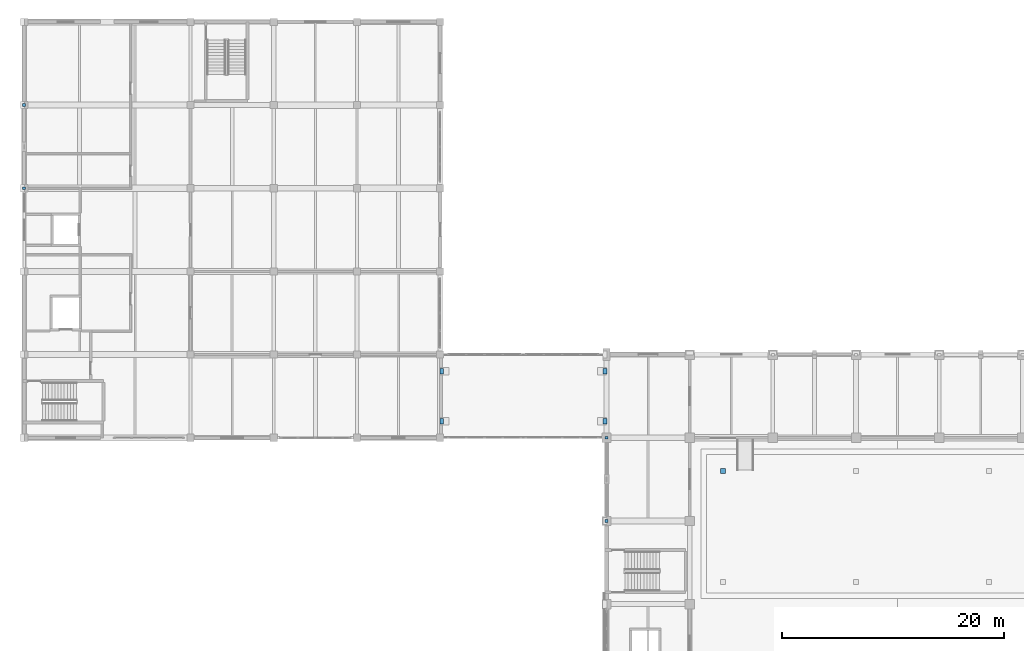
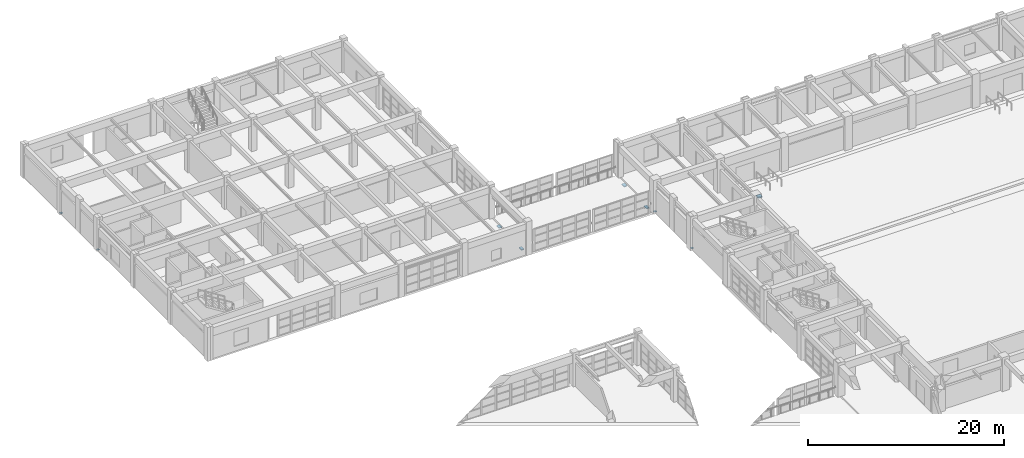
# One storey, part 114 of 132: 9 discrete accessories.
"""IFC4 building model written with IfcOpenShell, lengths in metres."""

from ifc_helpers import new_model, si_unit, direction, frame, origin, origin_2d, place, context, subcontext, project, spatial, rectangle, extrude, material, type_object, element, save


model = new_model("IFC4")

# Units and contexts
model_context = context("Model", 3, precision=1e-05, world=origin(), true_north=direction((0.0, 1.0)))
body_context = subcontext(model_context, "Body", "Model", "MODEL_VIEW")
ifc_project = project(units=[si_unit("LENGTHUNIT", "METRE"), si_unit("AREAUNIT", "SQUARE_METRE"), si_unit("VOLUMEUNIT", "CUBIC_METRE"), si_unit("PLANEANGLEUNIT", "RADIAN"), si_unit("MASSUNIT", "GRAM", prefix="KILO")], contexts=[model_context])

# Site, building, storey
site_placement = place(None, origin())
site = spatial("IfcSite", under=ifc_project, at=site_placement, CompositionType="ELEMENT")
building_placement = place(site_placement, origin())
building = spatial("IfcBuilding", under=site, at=building_placement, Name="Qasida Concert Hall", CompositionType="ELEMENT")
storey_placement = place(building_placement, frame((0.0, 0.0, 4.800048828125)))
storey = spatial("IfcBuildingStorey", under=building, at=storey_placement, Name="L01", CompositionType="ELEMENT", Elevation=4.800048828125)

# Discrete accessories
ifc_material = material(Name="Steel S355J2", Category="steel")
discrete_accessory_type_1 = type_object("IfcDiscreteAccessoryType", Name="ACC-CONN-S355", PredefinedType="BRACKET", material=ifc_material)
for number, where, z_axis, x_axis, name in (
    (1, (52.5, 67.5, -0.011962890625), (0.0, 0.0, 1.0), (1.0, 0.0, 0.0), "Steel brace/strut end connection CN-0182"),
    (2, (52.5, 75.0, -0.011962890625), (0.0, 0.0, 1.0), (1.0, 0.0, 0.0), "Steel brace/strut end connection CN-0183"),
    (3, (0.0, 97.5, -0.011962890625), (0.0, 0.0, 1.0), (1.0, 0.0, 0.0), "Steel brace/strut end connection CN-0238"),
    (4, (0.0, 105.0, -0.011962890625), (0.0, 0.0, 1.0), (1.0, 0.0, 0.0), "Steel brace/strut end connection CN-0239"),
):
    element("IfcDiscreteAccessory", number, at=place(storey_placement, frame(where, z_axis=z_axis, x_axis=x_axis)), inside=storey, type_object=discrete_accessory_type_1, Name=name, PredefinedType="BRACKET", context=body_context, shape_type="SweptSolid", body=[
        extrude(rectangle(XDim=0.280029296875, YDim=0.239990234375, at=origin_2d()), origin(), (0.0, 0.0, 1.0), 0.02392578125),
    ])
discrete_accessory_type_2 = type_object("IfcDiscreteAccessoryType", Name="ACC-PTFE-SLIDE", PredefinedType="BRACKET", material=ifc_material)
for number, where, z_axis, x_axis, name in (
    (5, (37.64990234375, 76.5, -0.400146484375), (0.0, 0.0, 1.0), (1.0, 0.0, 0.0), "Seismic sliding bearing SB-PTFE-021"),
    (6, (37.64990234375, 81.0, -0.400146484375), (0.0, 0.0, 1.0), (1.0, 0.0, 0.0), "Seismic sliding bearing SB-PTFE-022"),
    (7, (52.35009765625, 76.5, -0.400146484375), (0.0, 0.0, 1.0), (1.0, 0.0, 0.0), "Seismic sliding bearing SB-PTFE-023"),
    (8, (52.35009765625, 81.0, -0.400146484375), (0.0, 0.0, 1.0), (1.0, 0.0, 0.0), "Seismic sliding bearing SB-PTFE-024"),
):
    element("IfcDiscreteAccessory", number, at=place(storey_placement, frame(where, z_axis=z_axis, x_axis=x_axis)), inside=storey, type_object=discrete_accessory_type_2, Name=name, PredefinedType="BRACKET", context=body_context, shape_type="SweptSolid", body=[
        extrude(rectangle(XDim=0.35009765625, YDim=0.5, at=origin_2d()), origin(), (0.0, 0.0, 1.0), 0.1201171875),
    ])
discrete_accessory_type_3 = type_object("IfcDiscreteAccessoryType", Name="ACC-SPRING-4HZ", PredefinedType="BRACKET", material=ifc_material)
discrete_accessory_placement = place(storey_placement, frame((63.0, 72.0, -0.080078125), z_axis=(0.0, 0.0, 1.0), x_axis=(1.0, 0.0, 0.0)))
element("IfcDiscreteAccessory", 9, at=discrete_accessory_placement, inside=storey, type_object=discrete_accessory_type_3, Name="Acoustic spring isolator ASI-011", PredefinedType="BRACKET", context=body_context, shape_type="SweptSolid", body=[
    extrude(rectangle(XDim=0.449951171875, YDim=0.449951171875, at=origin_2d()), origin(), (0.0, 0.0, 1.0), 0.159912109375),
])

save(model, "model.ifc")
